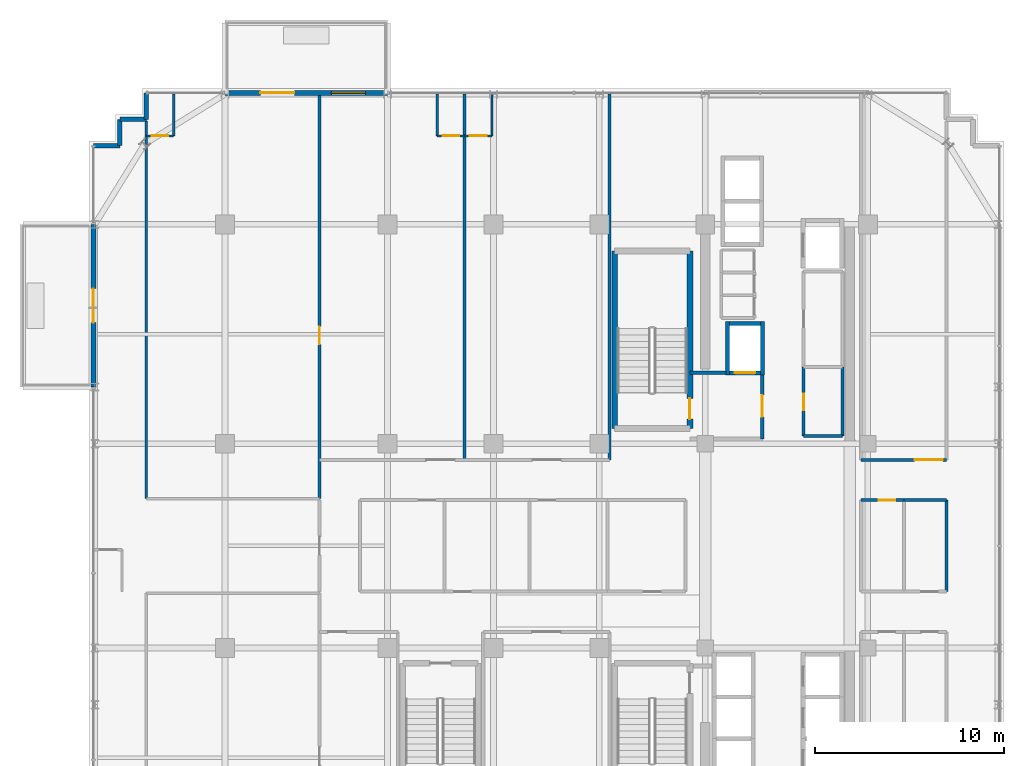
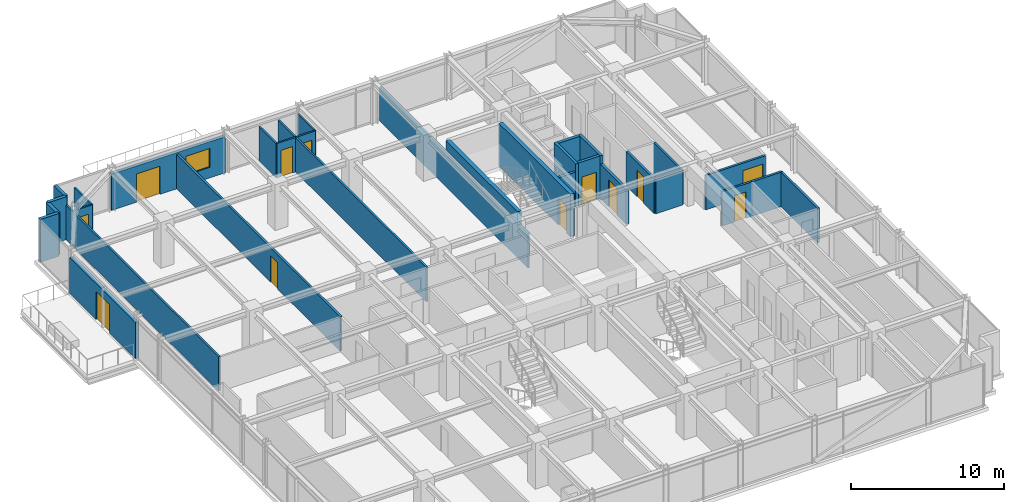
# One storey, part 31 of 36: 31 walls, 12 doors, 1 window, 13 openings.
"""IFC4 building model written with IfcOpenShell, lengths in metres."""

from ifc_helpers import new_model, si_unit, direction, frame, frame_2d, origin, place, context, subcontext, project, spatial, rectangle, extrude, source, transform, mapped, material, layer, layer_set, type_object, element, fill, save


model = new_model("IFC4")

# Units and contexts
model_context = context("Model", 3, precision=1e-05, world=origin(), true_north=direction((0.0, 1.0)))
body_context = subcontext(model_context, "Body", "Model", "MODEL_VIEW")
ifc_project = project(units=[si_unit("LENGTHUNIT", "METRE"), si_unit("AREAUNIT", "SQUARE_METRE"), si_unit("VOLUMEUNIT", "CUBIC_METRE"), si_unit("PLANEANGLEUNIT", "RADIAN"), si_unit("MASSUNIT", "GRAM", prefix="KILO")], contexts=[model_context])

# Site, building, storey
site_placement = place(None, origin())
site = spatial("IfcSite", under=ifc_project, at=site_placement, CompositionType="ELEMENT")
building_placement = place(site_placement, origin())
building = spatial("IfcBuilding", under=site, at=building_placement, Name="Nahalor Promenade Grand Hotel", CompositionType="ELEMENT")
storey_placement = place(building_placement, frame((0.0, 0.0, 212.300048828125)))
storey = spatial("IfcBuildingStorey", under=building, at=storey_placement, Name="L54", CompositionType="ELEMENT", Elevation=212.300048828125)

# Wall
ifc_material_1 = material(Name="Concrete B-50 (C40/50)", Category="concrete")
ifc_layer_1 = layer(ifc_material_1, 0.300048828125)
ifc_layer_set_1 = layer_set([ifc_layer_1], Name="Concrete B-50 (C40/50)")
wall_type_1 = type_object("IfcWallType", Name="Wall-ShaftShear-300", PredefinedType="SHEAR", material=ifc_layer_set_1)
shared_shape_1 = source(origin(), body_context, "Body", "SweptSolid", [
    extrude(rectangle(XDim=9.380126953125, YDim=0.300048828125, at=frame_2d((4.68994140625, 0.0))), origin(), (0.0, 0.0, 1.0), 3.409912109375),
])
wall_1_placement = place(storey_placement, frame((3.610107421875, 6.2099609375, 0.0), z_axis=(0.0, 0.0, 1.0), x_axis=(0.0, 1.0, 0.0)))
element("IfcWall", 1, at=wall_1_placement, inside=storey, type_object=wall_type_1, Name="L54 Exit Stair ST1 Shaft Wall W", PredefinedType="SHEAR", context=body_context, shape_type="MappedRepresentation", body=[
    mapped(shared_shape_1, transform((0.0, 0.0, 0.0), scale=1.0)),
])

# Wall, opening, door
wall_2_placement = place(storey_placement, frame((7.590087890625, 6.2099609375, 0.0), z_axis=(0.0, 0.0, 1.0), x_axis=(0.0, 1.0, 0.0)))
wall_2 = element("IfcWall", 2, at=wall_2_placement, inside=storey, type_object=wall_type_1, Name="L54 Exit Stair ST1 Shaft Wall E", PredefinedType="SHEAR", context=body_context, shape_type="MappedRepresentation", body=[
    mapped(shared_shape_1, transform((0.0, 0.0, 0.0), scale=1.0)),
])
opening_1_placement = place(wall_2_placement, frame((0.489990234375, 0.0, 0.0)))
opening_1 = element("IfcOpeningElement", 3, at=opening_1_placement, cuts=wall_2, Name="Opening D-ST1", PredefinedType="OPENING", context=body_context, shape_type="SweptSolid", body=[
    extrude(rectangle(XDim=1.10009765625, YDim=2.14990234375, at=frame_2d((0.550048828125, 1.074951171875))), frame((0.0, 0.159912109375, 0.0), z_axis=(0.0, -1.0, 0.0), x_axis=(1.0, 0.0, 0.0)), (0.0, 0.0, 1.0), 0.320068359375),
])
ifc_material_2 = material(Name="Steel S355JR", Category="steel")
door_type_1 = type_object("IfcDoorType", Name="Door-StairFire-1100", OperationType="NOTDEFINED", PredefinedType="DOOR", material=ifc_material_2)
shared_shape_2 = source(origin(), body_context, "Body", "SweptSolid", [
    extrude(rectangle(XDim=1.10009765625, YDim=2.14990234375, at=frame_2d((0.550048828125, 1.074951171875))), frame((0.0, 0.02490234375, 0.0), z_axis=(0.0, -1.0, 0.0), x_axis=(1.0, 0.0, 0.0)), (0.0, 0.0, 1.0), 0.050048828125),
])
door_1_placement = place(opening_1_placement, origin())
door_1 = element("IfcDoor", 4, at=door_1_placement, inside=storey, type_object=door_type_1, Name="DR-STAIR-ST1-L54", OperationType="SINGLE_SWING_LEFT", OverallHeight=2.14990234375, OverallWidth=1.10009765625, PredefinedType="DOOR", context=body_context, shape_type="MappedRepresentation", body=[
    mapped(shared_shape_2, transform((0.0, 0.0, 0.0), scale=1.0)),
])
fill(opening_1, door_1)

# Walls
ifc_layer_2 = layer(ifc_material_1, 0.219970703125)
ifc_layer_set_2 = layer_set([ifc_layer_2], Name="Concrete B-50 (C40/50)")
wall_type_2 = type_object("IfcWallType", Name="Wall-LiftShaft-220", PredefinedType="SHEAR", material=ifc_layer_set_2)
shared_shape_3 = source(origin(), body_context, "Body", "SweptSolid", [
    extrude(rectangle(XDim=2.820068359375, YDim=0.219970703125, at=frame_2d((1.41015625, 0.0))), origin(), (0.0, 0.0, 1.0), 3.409912109375),
])
for number, where, z_axis, x_axis, name in (
    (5, (9.580078125, 9.0400390625, 0.0), (0.0, 0.0, 1.0), (0.0, 1.0, 0.0), "L54 Lift FL1 Hoistway Wall W"),
    (6, (11.419921875, 9.0400390625, 0.0), (0.0, 0.0, 1.0), (0.0, 1.0, 0.0), "L54 Lift FL1 Hoistway Wall E"),
):
    element("IfcWall", number, at=place(storey_placement, frame(where, z_axis=z_axis, x_axis=x_axis)), inside=storey, type_object=wall_type_2, Name=name, PredefinedType="SHEAR", context=body_context, shape_type="MappedRepresentation", body=[
        mapped(shared_shape_3, transform((0.0, 0.0, 0.0), scale=1.0)),
    ])

# Wall, opening, door
shared_shape_4 = source(origin(), body_context, "Body", "SweptSolid", [
    extrude(rectangle(XDim=1.6201171875, YDim=0.219970703125, at=frame_2d((0.81005859375, 0.0))), origin(), (0.0, 0.0, 1.0), 3.409912109375),
])
wall_3_placement = place(storey_placement, frame((9.68994140625, 9.14990234375, 0.0), z_axis=(0.0, 0.0, 1.0), x_axis=(1.0, 0.0, 0.0)))
wall_3 = element("IfcWall", 7, at=wall_3_placement, inside=storey, type_object=wall_type_2, Name="L54 Lift FL1 Hoistway Wall S", PredefinedType="SHEAR", context=body_context, shape_type="MappedRepresentation", body=[
    mapped(shared_shape_4, transform((0.0, 0.0, 0.0), scale=1.0)),
])
opening_2_placement = place(wall_3_placement, frame((0.260009765625, 0.0, 0.0)))
opening_2 = element("IfcOpeningElement", 8, at=opening_2_placement, cuts=wall_3, Name="Opening LD-02", PredefinedType="OPENING", context=body_context, shape_type="SweptSolid", body=[
    extrude(rectangle(XDim=1.10009765625, YDim=2.199951171875, at=frame_2d((0.550048828125, 1.10009765625))), frame((0.0, 0.119873046875, 0.0), z_axis=(0.0, -1.0, 0.0), x_axis=(1.0, 0.0, 0.0)), (0.0, 0.0, 1.0), 0.239990234375),
])
door_type_2 = type_object("IfcDoorType", Name="Door-LiftFF-1100", OperationType="DOUBLE_DOOR_SLIDING", PredefinedType="DOOR", material=ifc_material_2)
shared_shape_5 = source(origin(), body_context, "Body", "SweptSolid", [
    extrude(rectangle(XDim=1.10009765625, YDim=2.199951171875, at=frame_2d((0.550048828125, 1.10009765625))), frame((0.0, 0.02490234375, 0.0), z_axis=(0.0, -1.0, 0.0), x_axis=(1.0, 0.0, 0.0)), (0.0, 0.0, 1.0), 0.050048828125),
])
door_2_placement = place(opening_2_placement, frame((1.10009765625, 0.0, 0.0), z_axis=(0.0, 0.0, 1.0), x_axis=(-1.0, 0.0, 0.0)))
door_2 = element("IfcDoor", 9, at=door_2_placement, inside=storey, type_object=door_type_2, Name="DR-LIFT-FL1-L54", OperationType="DOUBLE_DOOR_SLIDING", OverallHeight=2.199951171875, OverallWidth=1.10009765625, PredefinedType="DOOR", context=body_context, shape_type="MappedRepresentation", body=[
    mapped(shared_shape_5, transform((0.0, 0.0, 0.0), scale=1.0)),
])
fill(opening_2, door_2)

# Walls
wall_4_placement = place(storey_placement, frame((9.68994140625, 11.75, 0.0), z_axis=(0.0, 0.0, 1.0), x_axis=(1.0, 0.0, 0.0)))
element("IfcWall", 10, at=wall_4_placement, inside=storey, type_object=wall_type_2, Name="L54 Lift FL1 Hoistway Wall N", PredefinedType="SHEAR", context=body_context, shape_type="MappedRepresentation", body=[
    mapped(shared_shape_4, transform((0.0, 0.0, 0.0), scale=1.0)),
])
ifc_material_3 = material(Name="Concrete B-40 (C32/40)", Category="concrete")
ifc_layer_3 = layer(ifc_material_3, 0.25)
ifc_layer_set_3 = layer_set([ifc_layer_3], Name="Concrete B-40 (C32/40)")
wall_type_3 = type_object("IfcWallType", Name="Wall-BronzePier-250", PredefinedType="STANDARD", material=ifc_layer_set_3)
shared_shape_6 = source(origin(), body_context, "Body", "SweptSolid", [
    extrude(rectangle(XDim=1.39990234375, YDim=0.25, at=frame_2d((0.699951171875, 0.0))), origin(), (0.0, 0.0, 1.0), 3.409912109375),
])
for number, where, z_axis, x_axis, name in (
    (11, (-21.159912109375, 22.56005859375, 0.0), (0.0, 0.0, 1.0), (0.0, 1.0, 0.0), "W-L54-SR-09"),
    (12, (-23.9599609375, 21.159912109375, 0.0), (0.0, 0.0, 1.0), (1.0, 0.0, 0.0), "W-L54-SR-12"),
):
    element("IfcWall", number, at=place(storey_placement, frame(where, z_axis=z_axis, x_axis=x_axis)), inside=storey, type_object=wall_type_3, Name=name, PredefinedType="STANDARD", context=body_context, shape_type="MappedRepresentation", body=[
        mapped(shared_shape_6, transform((0.0, 0.0, 0.0), scale=1.0)),
    ])
shared_shape_7 = source(origin(), body_context, "Body", "SweptSolid", [
    extrude(rectangle(XDim=1.400146484375, YDim=0.25, at=frame_2d((0.7001953125, 0.0))), origin(), (0.0, 0.0, 1.0), 3.409912109375),
])
for number, where, z_axis, x_axis, name in (
    (13, (-22.56005859375, 22.56005859375, 0.0), (0.0, 0.0, 1.0), (1.0, 0.0, 0.0), "W-L54-SR-10"),
    (14, (-22.56005859375, 21.159912109375, 0.0), (0.0, 0.0, 1.0), (0.0, 1.0, 0.0), "W-L54-SR-11"),
):
    element("IfcWall", number, at=place(storey_placement, frame(where, z_axis=z_axis, x_axis=x_axis)), inside=storey, type_object=wall_type_3, Name=name, PredefinedType="STANDARD", context=body_context, shape_type="MappedRepresentation", body=[
        mapped(shared_shape_7, transform((0.0, 0.0, 0.0), scale=1.0)),
    ])

# Wall, openings, door, window
ifc_layer_4 = layer(ifc_material_3, 0.260009765625)
ifc_layer_set_4 = layer_set([ifc_layer_4], Name="Concrete B-40 (C32/40)")
wall_type_4 = type_object("IfcWallType", Name="Wall-BalconyWall-260", PredefinedType="STANDARD", material=ifc_layer_set_4)
shared_shape_8 = source(origin(), body_context, "Body", "SweptSolid", [
    extrude(rectangle(XDim=8.60009765625, YDim=0.260009765625, at=frame_2d((4.300048828125, 0.0))), origin(), (0.0, 0.0, 1.0), 2.889892578125),
])
wall_5_placement = place(storey_placement, frame((-17.0, 23.9599609375, 0.0), z_axis=(0.0, 0.0, 1.0), x_axis=(1.0, 0.0, 0.0)))
wall_5 = element("IfcWall", 15, at=wall_5_placement, inside=storey, type_object=wall_type_4, Name="W-L54-BALC-N-2", PredefinedType="STANDARD", context=body_context, shape_type="MappedRepresentation", body=[
    mapped(shared_shape_8, transform((0.0, 0.0, 0.0), scale=1.0)),
])
opening_3_placement = place(wall_5_placement, frame((1.875, 0.0, 0.0)))
opening_3 = element("IfcOpeningElement", 16, at=opening_3_placement, cuts=wall_5, Name="Opening D-BC1", PredefinedType="OPENING", context=body_context, shape_type="SweptSolid", body=[
    extrude(rectangle(XDim=1.800048828125, YDim=2.25, at=frame_2d((0.89990234375, 1.125))), frame((0.0, 0.139892578125, 0.0), z_axis=(0.0, -1.0, 0.0), x_axis=(1.0, 0.0, 0.0)), (0.0, 0.0, 1.0), 0.280029296875),
])
opening_4_placement = place(wall_5_placement, frame((5.625, 0.0, 0.85009765625)))
opening_4 = element("IfcOpeningElement", 17, at=opening_4_placement, cuts=wall_5, Name="Opening WN-01", PredefinedType="OPENING", context=body_context, shape_type="SweptSolid", body=[
    extrude(rectangle(XDim=1.800048828125, YDim=1.5, at=frame_2d((0.89990234375, 0.75))), frame((0.0, 0.139892578125, 0.0), z_axis=(0.0, -1.0, 0.0), x_axis=(1.0, 0.0, 0.0)), (0.0, 0.0, 1.0), 0.280029296875),
])
ifc_material_4 = material(Name="Anodised Bronze Aluminium EN AW-6063 T6", Category="aluminium")
door_type_3 = type_object("IfcDoorType", Name="Door-BalconySlide-1800", OperationType="DOUBLE_DOOR_SLIDING", PredefinedType="DOOR", material=ifc_material_4)
shared_shape_9 = source(origin(), body_context, "Body", "SweptSolid", [
    extrude(rectangle(XDim=1.800048828125, YDim=2.25, at=frame_2d((0.89990234375, 1.125))), frame((0.0, 0.02490234375, 0.0), z_axis=(0.0, -1.0, 0.0), x_axis=(1.0, 0.0, 0.0)), (0.0, 0.0, 1.0), 0.050048828125),
])
door_3_placement = place(opening_3_placement, origin())
door_3 = element("IfcDoor", 18, at=door_3_placement, inside=storey, type_object=door_type_3, Name="DR-L54-BALC-N-2", OperationType="DOUBLE_DOOR_SLIDING", OverallHeight=2.25, OverallWidth=1.800048828125, PredefinedType="DOOR", context=body_context, shape_type="MappedRepresentation", body=[
    mapped(shared_shape_9, transform((0.0, 0.0, 0.0), scale=1.0)),
])
fill(opening_3, door_3)
ifc_material_5 = material(Name="Low-E Laminated Solar Glass", Category="glass")
window_type = type_object("IfcWindowType", Name="Win-ChicagoBay-1800x1500", PartitioningType="SINGLE_PANEL", PredefinedType="WINDOW", material=ifc_material_5)
shared_shape_10 = source(origin(), body_context, "Body", "SweptSolid", [
    extrude(rectangle(XDim=1.800048828125, YDim=1.5, at=frame_2d((0.89990234375, 0.75))), frame((0.0, 0.030029296875, 0.0), z_axis=(0.0, -1.0, 0.0), x_axis=(1.0, 0.0, 0.0)), (0.0, 0.0, 1.0), 0.06005859375),
])
window_placement = place(opening_4_placement, origin())
window = element("IfcWindow", 19, at=window_placement, inside=storey, type_object=window_type, Name="WN-L54-BALC-N-2-1", OverallHeight=1.5, OverallWidth=1.800048828125, PartitioningType="SINGLE_PANEL", PredefinedType="WINDOW", context=body_context, shape_type="MappedRepresentation", body=[
    mapped(shared_shape_10, transform((0.0, 0.0, 0.0), scale=1.0)),
])
fill(opening_4, window)

# Wall, opening, door
wall_6_placement = place(storey_placement, frame((-23.9599609375, 8.39990234375, 0.0), z_axis=(0.0, 0.0, 1.0), x_axis=(0.0, 1.0, 0.0)))
wall_6 = element("IfcWall", 20, at=wall_6_placement, inside=storey, type_object=wall_type_4, Name="W-L54-BALC-W-2", PredefinedType="STANDARD", context=body_context, shape_type="MappedRepresentation", body=[
    mapped(shared_shape_8, transform((0.0, 0.0, 0.0), scale=1.0)),
])
opening_5_placement = place(wall_6_placement, frame((3.39990234375, 0.0, 0.0)))
opening_5 = element("IfcOpeningElement", 21, at=opening_5_placement, cuts=wall_6, Name="Opening D-BC1", PredefinedType="OPENING", context=body_context, shape_type="SweptSolid", body=[
    extrude(rectangle(XDim=1.800048828125, YDim=2.25, at=frame_2d((0.89990234375, 1.125))), frame((0.0, 0.139892578125, 0.0), z_axis=(0.0, -1.0, 0.0), x_axis=(1.0, 0.0, 0.0)), (0.0, 0.0, 1.0), 0.280029296875),
])
door_4_placement = place(opening_5_placement, origin())
door_4 = element("IfcDoor", 22, at=door_4_placement, inside=storey, type_object=door_type_3, Name="DR-L54-BALC-W-2", OperationType="DOUBLE_DOOR_SLIDING", OverallHeight=2.25, OverallWidth=1.800048828125, PredefinedType="DOOR", context=body_context, shape_type="MappedRepresentation", body=[
    mapped(shared_shape_9, transform((0.0, 0.0, 0.0), scale=1.0)),
])
fill(opening_5, door_4)

# Wall
ifc_layer_5 = layer(ifc_material_3, 0.199951171875)
ifc_layer_set_5 = layer_set([ifc_layer_5], Name="Concrete B-40 (C32/40)")
wall_type_5 = type_object("IfcWallType", Name="Wall-PartFire-200", PredefinedType="PARTITIONING", material=ifc_layer_set_5)
shared_shape_11 = source(origin(), body_context, "Body", "SweptSolid", [
    extrude(rectangle(XDim=1.89990234375, YDim=0.199951171875, at=frame_2d((0.949951171875, 0.0))), origin(), (0.0, 0.0, 1.0), 2.75),
])
wall_7_placement = place(storey_placement, frame((7.60009765625, 9.14990234375, 0.0), z_axis=(0.0, 0.0, 1.0), x_axis=(1.0, 0.0, 0.0)))
element("IfcWall", 23, at=wall_7_placement, inside=storey, type_object=wall_type_5, Name="W-L54-FF1-N", PredefinedType="PARTITIONING", context=body_context, shape_type="MappedRepresentation", body=[
    mapped(shared_shape_11, transform((0.0, 0.0, 0.0), scale=1.0)),
])

# Wall, opening, door
shared_shape_12 = source(origin(), body_context, "Body", "SweptSolid", [
    extrude(rectangle(XDim=3.5, YDim=0.199951171875, at=frame_2d((1.75, 0.0))), origin(), (0.0, 0.0, 1.0), 2.75),
])
wall_8_placement = place(storey_placement, frame((11.419921875, 5.64990234375, 0.0), z_axis=(0.0, 0.0, 1.0), x_axis=(0.0, 1.0, 0.0)))
wall_8 = element("IfcWall", 24, at=wall_8_placement, inside=storey, type_object=wall_type_5, Name="W-L54-FF1-E", PredefinedType="PARTITIONING", context=body_context, shape_type="MappedRepresentation", body=[
    mapped(shared_shape_12, transform((0.0, 0.0, 0.0), scale=1.0)),
])
opening_6_placement = place(wall_8_placement, frame((1.175048828125, 0.0, 0.0)))
opening_6 = element("IfcOpeningElement", 25, at=opening_6_placement, cuts=wall_8, Name="Opening D-FF1", PredefinedType="OPENING", context=body_context, shape_type="SweptSolid", body=[
    extrude(rectangle(XDim=1.14990234375, YDim=2.14990234375, at=frame_2d((0.574951171875, 1.074951171875))), frame((0.0, 0.10986328125, 0.0), z_axis=(0.0, -1.0, 0.0), x_axis=(1.0, 0.0, 0.0)), (0.0, 0.0, 1.0), 0.219970703125),
])
door_type_4 = type_object("IfcDoorType", Name="Door-FFLobby-1150", OperationType="NOTDEFINED", PredefinedType="DOOR", material=ifc_material_2)
shared_shape_13 = source(origin(), body_context, "Body", "SweptSolid", [
    extrude(rectangle(XDim=1.14990234375, YDim=2.14990234375, at=frame_2d((0.574951171875, 1.074951171875))), frame((0.0, 0.02490234375, 0.0), z_axis=(0.0, -1.0, 0.0), x_axis=(1.0, 0.0, 0.0)), (0.0, 0.0, 1.0), 0.050048828125),
])
door_5_placement = place(opening_6_placement, frame((1.14990234375, 0.0, 0.0), z_axis=(0.0, 0.0, 1.0), x_axis=(-1.0, 0.0, 0.0)))
door_5 = element("IfcDoor", 26, at=door_5_placement, inside=storey, type_object=door_type_4, Name="DR-L54-FFL1", OperationType="SINGLE_SWING_RIGHT", OverallHeight=2.14990234375, OverallWidth=1.14990234375, PredefinedType="DOOR", context=body_context, shape_type="MappedRepresentation", body=[
    mapped(shared_shape_13, transform((0.0, 0.0, 0.0), scale=1.0)),
])
fill(opening_6, door_5)

# Wall
ifc_material_6 = material(Name="Acoustic Mineral Gypsum", Category="gypsum")
ifc_layer_6 = layer(ifc_material_6, 0.159912109375)
ifc_layer_set_6 = layer_set([ifc_layer_6], Name="Acoustic Mineral Gypsum")
wall_type_6 = type_object("IfcWallType", Name="Wall-PartCorridor-160", PredefinedType="PARTITIONING", material=ifc_layer_set_6)
shared_shape_14 = source(origin(), body_context, "Body", "SweptSolid", [
    extrude(rectangle(XDim=2.0498046875, YDim=0.159912109375, at=frame_2d((1.02490234375, 0.0))), origin(), (0.0, 0.0, 1.0), 2.75),
])
wall_9_placement = place(storey_placement, frame((13.60009765625, 5.800048828125, 0.0), z_axis=(0.0, 0.0, 1.0), x_axis=(1.0, 0.0, 0.0)))
element("IfcWall", 27, at=wall_9_placement, inside=storey, type_object=wall_type_6, Name="W-L54-FRB1A-S", PredefinedType="PARTITIONING", context=body_context, shape_type="MappedRepresentation", body=[
    mapped(shared_shape_14, transform((0.0, 0.0, 0.0), scale=1.0)),
])

# Wall, opening, door
shared_shape_15 = source(origin(), body_context, "Body", "SweptSolid", [
    extrude(rectangle(XDim=2.255126953125, YDim=0.159912109375, at=frame_2d((1.12744140625, 0.0))), origin(), (0.0, 0.0, 1.0), 2.75),
])
wall_10_placement = place(storey_placement, frame((16.64990234375, 2.419921875, 0.0), z_axis=(0.0, 0.0, 1.0), x_axis=(1.0, 0.0, 0.0)))
wall_10 = element("IfcWall", 28, at=wall_10_placement, inside=storey, type_object=wall_type_6, Name="W-L54-ECW1-N", PredefinedType="PARTITIONING", context=body_context, shape_type="MappedRepresentation", body=[
    mapped(shared_shape_15, transform((0.0, 0.0, 0.0), scale=1.0)),
])
opening_7_placement = place(wall_10_placement, frame((0.924072265625, 0.0, 0.0)))
opening_7 = element("IfcOpeningElement", 29, at=opening_7_placement, cuts=wall_10, Name="Opening D-03", PredefinedType="OPENING", context=body_context, shape_type="SweptSolid", body=[
    extrude(rectangle(XDim=0.8798828125, YDim=2.10009765625, at=frame_2d((0.43994140625, 1.050048828125))), frame((0.0, 0.08984375, 0.0), z_axis=(0.0, -1.0, 0.0), x_axis=(1.0, 0.0, 0.0)), (0.0, 0.0, 1.0), 0.179931640625),
])
ifc_material_7 = material(Name="Fire-Rated Timber Composite", Category="wood")
door_type_5 = type_object("IfcDoorType", Name="Door-BathSwing-880", OperationType="NOTDEFINED", PredefinedType="DOOR", material=ifc_material_7)
shared_shape_16 = source(origin(), body_context, "Body", "SweptSolid", [
    extrude(rectangle(XDim=0.8798828125, YDim=2.10009765625, at=frame_2d((0.43994140625, 1.050048828125))), frame((0.0, 0.02490234375, 0.0), z_axis=(0.0, -1.0, 0.0), x_axis=(1.0, 0.0, 0.0)), (0.0, 0.0, 1.0), 0.050048828125),
])
door_6_placement = place(opening_7_placement, frame((0.8798828125, 0.0, 0.0), z_axis=(0.0, 0.0, 1.0), x_axis=(-1.0, 0.0, 0.0)))
door_6 = element("IfcDoor", 30, at=door_6_placement, inside=storey, type_object=door_type_5, Name="DR-L54-ECW1", OperationType="SINGLE_SWING_LEFT", OverallHeight=2.10009765625, OverallWidth=0.8798828125, PredefinedType="DOOR", context=body_context, shape_type="MappedRepresentation", body=[
    mapped(shared_shape_16, transform((0.0, 0.0, 0.0), scale=1.0)),
])
fill(opening_7, door_6)

# Wall
shared_shape_17 = source(origin(), body_context, "Body", "SweptSolid", [
    extrude(rectangle(XDim=2.2548828125, YDim=0.159912109375, at=frame_2d((1.12744140625, 0.0))), origin(), (0.0, 0.0, 1.0), 2.75),
])
wall_11_placement = place(storey_placement, frame((18.905029296875, 2.419921875, 0.0), z_axis=(0.0, 0.0, 1.0), x_axis=(1.0, 0.0, 0.0)))
element("IfcWall", 31, at=wall_11_placement, inside=storey, type_object=wall_type_6, Name="W-L54-ECW2-N", PredefinedType="PARTITIONING", context=body_context, shape_type="MappedRepresentation", body=[
    mapped(shared_shape_17, transform((0.0, 0.0, 0.0), scale=1.0)),
])

# Wall, opening, door
shared_shape_18 = source(origin(), body_context, "Body", "SweptSolid", [
    extrude(rectangle(XDim=21.39990234375, YDim=0.159912109375, at=frame_2d((10.699951171875, 0.0))), origin(), (0.0, 0.0, 1.0), 2.75),
])
wall_12_placement = place(storey_placement, frame((-12.0, 2.5, 0.0), z_axis=(0.0, 0.0, 1.0), x_axis=(0.0, 1.0, 0.0)))
wall_12 = element("IfcWall", 32, at=wall_12_placement, inside=storey, type_object=wall_type_6, Name="W-L54-ZNW-E", PredefinedType="PARTITIONING", context=body_context, shape_type="MappedRepresentation", body=[
    mapped(shared_shape_18, transform((0.0, 0.0, 0.0), scale=1.0)),
])
opening_8_placement = place(wall_12_placement, frame((8.14990234375, 0.0, 0.0)))
opening_8 = element("IfcOpeningElement", 33, at=opening_8_placement, cuts=wall_12, Name="Opening D-01", PredefinedType="OPENING", context=body_context, shape_type="SweptSolid", body=[
    extrude(rectangle(XDim=0.949951171875, YDim=2.10009765625, at=frame_2d((0.47509765625, 1.050048828125))), frame((0.0, 0.08984375, 0.0), z_axis=(0.0, -1.0, 0.0), x_axis=(1.0, 0.0, 0.0)), (0.0, 0.0, 1.0), 0.179931640625),
])
door_type_6 = type_object("IfcDoorType", Name="Door-GuestEntry-950", OperationType="NOTDEFINED", PredefinedType="DOOR", material=ifc_material_7)
shared_shape_19 = source(origin(), body_context, "Body", "SweptSolid", [
    extrude(rectangle(XDim=0.949951171875, YDim=2.10009765625, at=frame_2d((0.47509765625, 1.050048828125))), frame((0.0, 0.02490234375, 0.0), z_axis=(0.0, -1.0, 0.0), x_axis=(1.0, 0.0, 0.0)), (0.0, 0.0, 1.0), 0.050048828125),
])
door_7_placement = place(opening_8_placement, origin())
door_7 = element("IfcDoor", 34, at=door_7_placement, inside=storey, type_object=door_type_6, Name="DR-L54-NW0-ENT", OperationType="SINGLE_SWING_RIGHT", OverallHeight=2.10009765625, OverallWidth=0.949951171875, PredefinedType="DOOR", context=body_context, shape_type="MappedRepresentation", body=[
    mapped(shared_shape_19, transform((0.0, 0.0, 0.0), scale=1.0)),
])
fill(opening_8, door_7)

# Wall
ifc_layer_7 = layer(ifc_material_6, 0.139892578125)
ifc_layer_set_7 = layer_set([ifc_layer_7], Name="Acoustic Mineral Gypsum")
wall_type_7 = type_object("IfcWallType", Name="Wall-PartSuite-140", PredefinedType="PARTITIONING", material=ifc_layer_set_7)
shared_shape_20 = source(origin(), body_context, "Body", "SweptSolid", [
    extrude(rectangle(XDim=19.97998046875, YDim=0.139892578125, at=frame_2d((9.989990234375, 0.0))), origin(), (0.0, 0.0, 1.0), 2.75),
])
wall_13_placement = place(storey_placement, frame((-21.159912109375, 2.5, 0.0), z_axis=(0.0, 0.0, 1.0), x_axis=(0.0, 1.0, 0.0)))
element("IfcWall", 35, at=wall_13_placement, inside=storey, type_object=wall_type_7, Name="W-L54-ZNW-W", PredefinedType="PARTITIONING", context=body_context, shape_type="MappedRepresentation", body=[
    mapped(shared_shape_20, transform((0.0, 0.0, 0.0), scale=1.0)),
])

# Wall, opening, door
ifc_layer_8 = layer(ifc_material_6, 0.1201171875)
ifc_layer_set_8 = layer_set([ifc_layer_8], Name="Acoustic Mineral Gypsum")
wall_type_8 = type_object("IfcWallType", Name="Wall-PartBath-120", PredefinedType="PARTITIONING", material=ifc_layer_set_8)
shared_shape_21 = source(origin(), body_context, "Body", "SweptSolid", [
    extrude(rectangle(XDim=1.449951171875, YDim=0.1201171875, at=frame_2d((0.72509765625, 0.0))), origin(), (0.0, 0.0, 1.0), 2.75),
])
wall_14_placement = place(storey_placement, frame((-21.159912109375, 21.679931640625, 0.0), z_axis=(0.0, 0.0, 1.0), x_axis=(1.0, 0.0, 0.0)))
wall_14 = element("IfcWall", 36, at=wall_14_placement, inside=storey, type_object=wall_type_8, Name="W-L54-NW0-BH", PredefinedType="PARTITIONING", context=body_context, shape_type="MappedRepresentation", body=[
    mapped(shared_shape_21, transform((0.0, 0.0, 0.0), scale=1.0)),
])
opening_9_placement = place(wall_14_placement, frame((0.284912109375, 0.0, 0.0)))
opening_9 = element("IfcOpeningElement", 37, at=opening_9_placement, cuts=wall_14, Name="Opening D-03", PredefinedType="OPENING", context=body_context, shape_type="SweptSolid", body=[
    extrude(rectangle(XDim=0.8798828125, YDim=2.10009765625, at=frame_2d((0.43994140625, 1.050048828125))), frame((0.0, 0.070068359375, 0.0), z_axis=(0.0, -1.0, 0.0), x_axis=(1.0, 0.0, 0.0)), (0.0, 0.0, 1.0), 0.14013671875),
])
door_8_placement = place(opening_9_placement, origin())
door_8 = element("IfcDoor", 38, at=door_8_placement, inside=storey, type_object=door_type_5, Name="DR-L54-NW0-BATH", OperationType="SINGLE_SWING_LEFT", OverallHeight=2.10009765625, OverallWidth=0.8798828125, PredefinedType="DOOR", context=body_context, shape_type="MappedRepresentation", body=[
    mapped(shared_shape_16, transform((0.0, 0.0, 0.0), scale=1.0)),
])
fill(opening_9, door_8)

wall_15_placement = place(storey_placement, frame((-5.780029296875, 21.679931640625, 0.0), z_axis=(0.0, 0.0, 1.0), x_axis=(1.0, 0.0, 0.0)))
wall_15 = element("IfcWall", 39, at=wall_15_placement, inside=storey, type_object=wall_type_8, Name="W-L54-N1-BH", PredefinedType="PARTITIONING", context=body_context, shape_type="MappedRepresentation", body=[
    mapped(shared_shape_21, transform((0.0, 0.0, 0.0), scale=1.0)),
])
opening_10_placement = place(wall_15_placement, frame((0.284912109375, 0.0, 0.0)))
opening_10 = element("IfcOpeningElement", 40, at=opening_10_placement, cuts=wall_15, Name="Opening D-03", PredefinedType="OPENING", context=body_context, shape_type="SweptSolid", body=[
    extrude(rectangle(XDim=0.8798828125, YDim=2.10009765625, at=frame_2d((0.43994140625, 1.050048828125))), frame((0.0, 0.070068359375, 0.0), z_axis=(0.0, -1.0, 0.0), x_axis=(1.0, 0.0, 0.0)), (0.0, 0.0, 1.0), 0.14013671875),
])
door_9_placement = place(opening_10_placement, origin())
door_9 = element("IfcDoor", 41, at=door_9_placement, inside=storey, type_object=door_type_5, Name="DR-L54-N1-BATH", OperationType="SINGLE_SWING_LEFT", OverallHeight=2.10009765625, OverallWidth=0.8798828125, PredefinedType="DOOR", context=body_context, shape_type="MappedRepresentation", body=[
    mapped(shared_shape_16, transform((0.0, 0.0, 0.0), scale=1.0)),
])
fill(opening_10, door_9)

# Walls
shared_shape_22 = source(origin(), body_context, "Body", "SweptSolid", [
    extrude(rectangle(XDim=2.219970703125, YDim=0.1201171875, at=frame_2d((1.10986328125, 0.0))), origin(), (0.0, 0.0, 1.0), 2.75),
])
for number, where, z_axis, x_axis, name in (
    (42, (-19.7099609375, 21.679931640625, 0.0), (0.0, 0.0, 1.0), (0.0, 1.0, 0.0), "W-L54-NW0-BV"),
    (43, (-5.780029296875, 21.679931640625, 0.0), (0.0, 0.0, 1.0), (0.0, 1.0, 0.0), "W-L54-N1-BV"),
    (44, (-2.8798828125, 21.679931640625, 0.0), (0.0, 0.0, 1.0), (0.0, 1.0, 0.0), "W-L54-N2-BV"),
):
    element("IfcWall", number, at=place(storey_placement, frame(where, z_axis=z_axis, x_axis=x_axis)), inside=storey, type_object=wall_type_8, Name=name, PredefinedType="PARTITIONING", context=body_context, shape_type="MappedRepresentation", body=[
        mapped(shared_shape_22, transform((0.0, 0.0, 0.0), scale=1.0)),
    ])
shared_shape_23 = source(origin(), body_context, "Body", "SweptSolid", [
    extrude(rectangle(XDim=19.349853515625, YDim=0.139892578125, at=frame_2d((9.6748046875, 0.0))), origin(), (0.0, 0.0, 1.0), 2.75),
])
for number, where, z_axis, x_axis, name in (
    (45, (3.340087890625, 4.550048828125, 0.0), (0.0, 0.0, 1.0), (0.0, 1.0, 0.0), "W-L54-NW-ENDE"),
    (46, (-4.330078125, 4.550048828125, 0.0), (0.0, 0.0, 1.0), (0.0, 1.0, 0.0), "W-L54-NP-1"),
):
    element("IfcWall", number, at=place(storey_placement, frame(where, z_axis=z_axis, x_axis=x_axis)), inside=storey, type_object=wall_type_7, Name=name, PredefinedType="PARTITIONING", context=body_context, shape_type="MappedRepresentation", body=[
        mapped(shared_shape_23, transform((0.0, 0.0, 0.0), scale=1.0)),
    ])

# Wall, opening, door
shared_shape_24 = source(origin(), body_context, "Body", "SweptSolid", [
    extrude(rectangle(XDim=1.4501953125, YDim=0.1201171875, at=frame_2d((0.72509765625, 0.0))), origin(), (0.0, 0.0, 1.0), 2.75),
])
wall_16_placement = place(storey_placement, frame((-4.330078125, 21.679931640625, 0.0), z_axis=(0.0, 0.0, 1.0), x_axis=(1.0, 0.0, 0.0)))
wall_16 = element("IfcWall", 47, at=wall_16_placement, inside=storey, type_object=wall_type_8, Name="W-L54-N2-BH", PredefinedType="PARTITIONING", context=body_context, shape_type="MappedRepresentation", body=[
    mapped(shared_shape_24, transform((0.0, 0.0, 0.0), scale=1.0)),
])
opening_11_placement = place(wall_16_placement, frame((0.284912109375, 0.0, 0.0)))
opening_11 = element("IfcOpeningElement", 48, at=opening_11_placement, cuts=wall_16, Name="Opening D-03", PredefinedType="OPENING", context=body_context, shape_type="SweptSolid", body=[
    extrude(rectangle(XDim=0.8798828125, YDim=2.10009765625, at=frame_2d((0.43994140625, 1.050048828125))), frame((0.0, 0.070068359375, 0.0), z_axis=(0.0, -1.0, 0.0), x_axis=(1.0, 0.0, 0.0)), (0.0, 0.0, 1.0), 0.14013671875),
])
door_10_placement = place(opening_11_placement, origin())
door_10 = element("IfcDoor", 49, at=door_10_placement, inside=storey, type_object=door_type_5, Name="DR-L54-N2-BATH", OperationType="SINGLE_SWING_RIGHT", OverallHeight=2.10009765625, OverallWidth=0.8798828125, PredefinedType="DOOR", context=body_context, shape_type="MappedRepresentation", body=[
    mapped(shared_shape_16, transform((0.0, 0.0, 0.0), scale=1.0)),
])
fill(opening_11, door_10)

# Wall
shared_shape_25 = source(origin(), body_context, "Body", "SweptSolid", [
    extrude(rectangle(XDim=4.83984375, YDim=0.159912109375, at=frame_2d((2.419921875, 0.0))), origin(), (0.0, 0.0, 1.0), 2.75),
])
wall_17_placement = place(storey_placement, frame((21.159912109375, -2.419921875, 0.0), z_axis=(0.0, 0.0, 1.0), x_axis=(0.0, 1.0, 0.0)))
element("IfcWall", 50, at=wall_17_placement, inside=storey, type_object=wall_type_6, Name="W-L54-ECW2-E", PredefinedType="PARTITIONING", context=body_context, shape_type="MappedRepresentation", body=[
    mapped(shared_shape_25, transform((0.0, 0.0, 0.0), scale=1.0)),
])

# Wall, opening, door
shared_shape_26 = source(origin(), body_context, "Body", "SweptSolid", [
    extrude(rectangle(XDim=3.64990234375, YDim=0.159912109375, at=frame_2d((1.824951171875, 0.0))), origin(), (0.0, 0.0, 1.0), 2.75),
])
wall_18_placement = place(storey_placement, frame((13.60009765625, 5.800048828125, 0.0), z_axis=(0.0, 0.0, 1.0), x_axis=(0.0, 1.0, 0.0)))
wall_18 = element("IfcWall", 51, at=wall_18_placement, inside=storey, type_object=wall_type_6, Name="W-L54-FRB1A-W", PredefinedType="PARTITIONING", context=body_context, shape_type="MappedRepresentation", body=[
    mapped(shared_shape_26, transform((0.0, 0.0, 0.0), scale=1.0)),
])
opening_12_placement = place(wall_18_placement, frame((1.360107421875, 0.0, 0.0)))
opening_12 = element("IfcOpeningElement", 52, at=opening_12_placement, cuts=wall_18, Name="Opening D-03", PredefinedType="OPENING", context=body_context, shape_type="SweptSolid", body=[
    extrude(rectangle(XDim=0.8798828125, YDim=2.10009765625, at=frame_2d((0.43994140625, 1.050048828125))), frame((0.0, 0.08984375, 0.0), z_axis=(0.0, -1.0, 0.0), x_axis=(1.0, 0.0, 0.0)), (0.0, 0.0, 1.0), 0.179931640625),
])
door_11_placement = place(opening_12_placement, frame((0.8798828125, 0.0, 0.0), z_axis=(0.0, 0.0, 1.0), x_axis=(-1.0, 0.0, 0.0)))
door_11 = element("IfcDoor", 53, at=door_11_placement, inside=storey, type_object=door_type_5, Name="DR-L54-FRB1A", OperationType="SINGLE_SWING_LEFT", OverallHeight=2.10009765625, OverallWidth=0.8798828125, PredefinedType="DOOR", context=body_context, shape_type="MappedRepresentation", body=[
    mapped(shared_shape_16, transform((0.0, 0.0, 0.0), scale=1.0)),
])
fill(opening_12, door_11)

# Wall
wall_19_placement = place(storey_placement, frame((15.64990234375, 5.800048828125, 0.0), z_axis=(0.0, 0.0, 1.0), x_axis=(0.0, 1.0, 0.0)))
element("IfcWall", 54, at=wall_19_placement, inside=storey, type_object=wall_type_6, Name="W-L54-FRB1A-E", PredefinedType="PARTITIONING", context=body_context, shape_type="MappedRepresentation", body=[
    mapped(shared_shape_26, transform((0.0, 0.0, 0.0), scale=1.0)),
])

# Wall, opening, door
shared_shape_27 = source(origin(), body_context, "Body", "SweptSolid", [
    extrude(rectangle(XDim=4.510009765625, YDim=0.159912109375, at=frame_2d((2.2548828125, 0.0))), origin(), (0.0, 0.0, 1.0), 2.75),
])
wall_20_placement = place(storey_placement, frame((16.64990234375, 4.550048828125, 0.0), z_axis=(0.0, 0.0, 1.0), x_axis=(1.0, 0.0, 0.0)))
wall_20 = element("IfcWall", 55, at=wall_20_placement, inside=storey, type_object=wall_type_6, Name="W-L54-ENE-S", PredefinedType="PARTITIONING", context=body_context, shape_type="MappedRepresentation", body=[
    mapped(shared_shape_27, transform((0.0, 0.0, 0.0), scale=1.0)),
])
opening_13_placement = place(wall_20_placement, frame((2.820068359375, 0.0, 0.0)))
opening_13 = element("IfcOpeningElement", 56, at=opening_13_placement, cuts=wall_20, Name="Opening D-02", PredefinedType="OPENING", context=body_context, shape_type="SweptSolid", body=[
    extrude(rectangle(XDim=1.5, YDim=2.14990234375, at=frame_2d((0.75, 1.074951171875))), frame((0.0, 0.08984375, 0.0), z_axis=(0.0, -1.0, 0.0), x_axis=(1.0, 0.0, 0.0)), (0.0, 0.0, 1.0), 0.179931640625),
])
door_type_7 = type_object("IfcDoorType", Name="Door-SuiteDouble-1500", OperationType="DOUBLE_DOOR_SINGLE_SWING", PredefinedType="DOOR", material=ifc_material_7)
shared_shape_28 = source(origin(), body_context, "Body", "SweptSolid", [
    extrude(rectangle(XDim=1.5, YDim=2.14990234375, at=frame_2d((0.75, 1.074951171875))), frame((0.0, 0.02490234375, 0.0), z_axis=(0.0, -1.0, 0.0), x_axis=(1.0, 0.0, 0.0)), (0.0, 0.0, 1.0), 0.050048828125),
])
door_12_placement = place(opening_13_placement, origin())
door_12 = element("IfcDoor", 57, at=door_12_placement, inside=storey, type_object=door_type_7, Name="DR-L54-ENE", OperationType="DOUBLE_DOOR_SINGLE_SWING", OverallHeight=2.14990234375, OverallWidth=1.5, PredefinedType="DOOR", context=body_context, shape_type="MappedRepresentation", body=[
    mapped(shared_shape_28, transform((0.0, 0.0, 0.0), scale=1.0)),
])
fill(opening_13, door_12)

save(model, "model.ifc")
